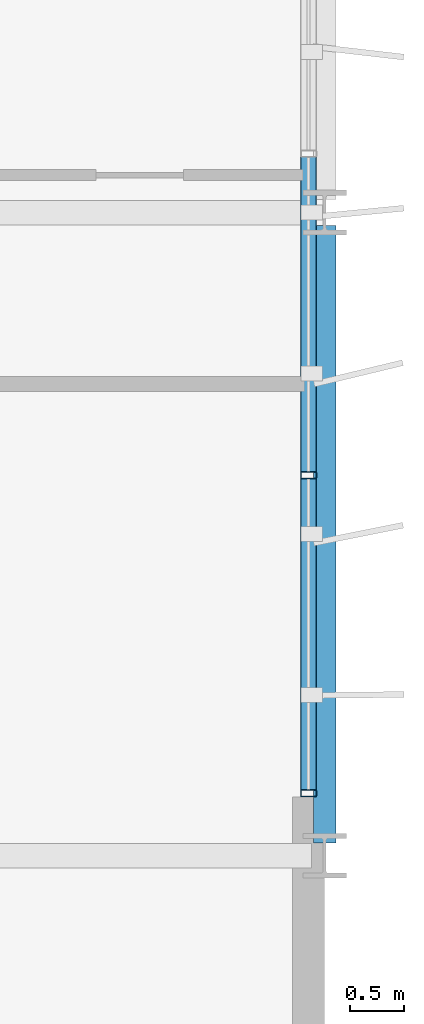
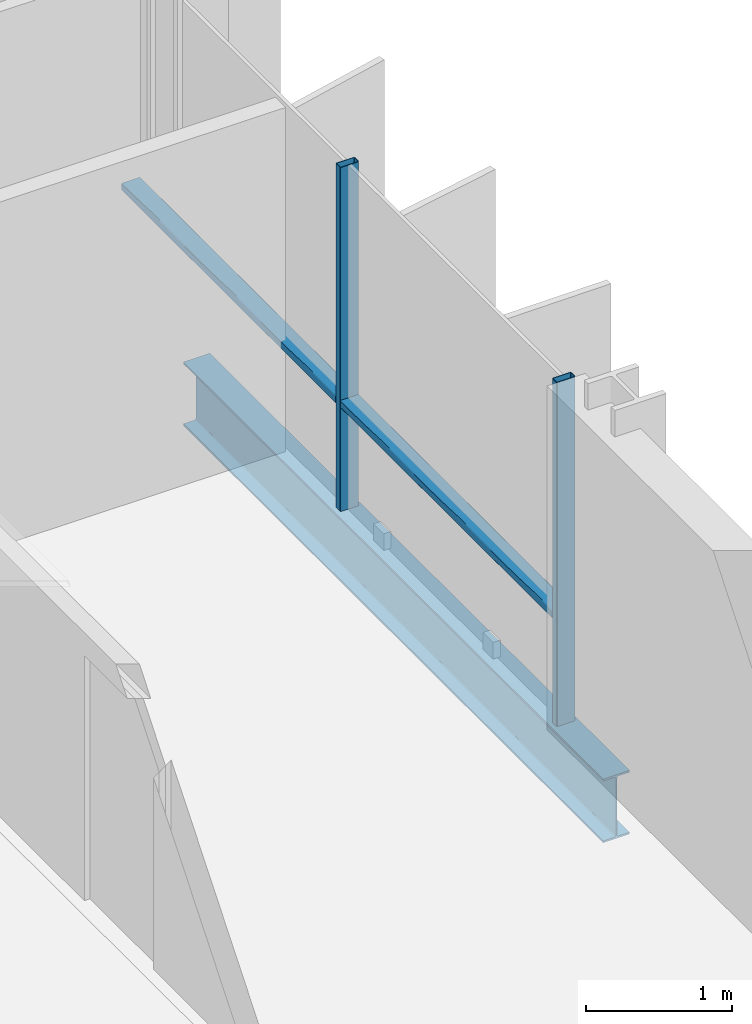
# One storey, part 17 of 40: 4 members, 1 beam, 1 element without a shape of its own.
"""IFC4 building model written with IfcOpenShell, lengths in metres."""

import ifcopenshell
import ifcopenshell.guid

model = None  # the IFC model being written
_history = None  # IfcOwnerHistory: only IFC2X3 demands one
_inside = {}  # id of a spatial element -> (the spatial element, [elements in it])
_under = {}  # id of a project, library or spatial element -> (it, [spatial elements below it])
_declared = {}  # id of a project -> (the project, [libraries it declares])
_typed = {}  # id of a type object -> (the type object, [elements of that type])
_made_of = {}  # id of a material, layer set ... -> (it, [elements and type objects made of it])


def new_model(schema):
    """Start an empty IFC model of exactly this schema.

    Asked for "IFC4X3", IfcOpenShell would pick the latest addendum, in which some entities
    have other attributes; the version numbers below select the first issue.
    IFC2X3 requires an IfcOwnerHistory on every rooted entity: one is made here for all.
    """
    global model, _history
    if schema == "IFC4X3":
        model = ifcopenshell.file(schema_version=(4, 3, 0, 0))
    else:
        model = ifcopenshell.file(schema=schema)
    _inside.clear()
    _under.clear()
    _declared.clear()
    _typed.clear()
    _made_of.clear()
    _history = None
    if model.schema == "IFC2X3":
        org = make("IfcOrganization", Name="unknown")
        user = make(
            "IfcPersonAndOrganization",
            ThePerson=make("IfcPerson", FamilyName="unknown"),
            TheOrganization=org,
        )
        app = make(
            "IfcApplication",
            ApplicationDeveloper=org,
            Version="unknown",
            ApplicationFullName="unknown",
            ApplicationIdentifier="unknown",
        )
        _history = make(
            "IfcOwnerHistory",
            OwningUser=user,
            OwningApplication=app,
            ChangeAction="ADDED",
            CreationDate=0,
        )
    return model


def make(cls, **values):
    """One entity of the class cls with the attributes given. An attribute that is None is left unset."""
    return model.create_entity(
        cls, **{name: value for name, value in values.items() if value is not None}
    )


def rooted(cls, **values):
    """An entity with a GlobalId (a new one), such as an element, a storey or a relation."""
    return make(cls, GlobalId=ifcopenshell.guid.new(), OwnerHistory=_history, **values)


def si_unit(unit_type, name, prefix=None):
    """IfcSIUnit, for example si_unit("LENGTHUNIT", "METRE", prefix="MILLI")."""
    return make("IfcSIUnit", UnitType=unit_type, Prefix=prefix, Name=name)


def assignment(units):
    """IfcUnitAssignment: the units of a project."""
    return None if units is None else make("IfcUnitAssignment", Units=units)


def point(xyz):
    """IfcCartesianPoint."""
    return None if xyz is None else make("IfcCartesianPoint", Coordinates=xyz)


def direction(xyz):
    """IfcDirection."""
    return None if xyz is None else make("IfcDirection", DirectionRatios=xyz)


def frame(location, z_axis=None, x_axis=None):
    """IfcAxis2Placement3D, a coordinate frame: its origin and axes. An axis left out is left unset."""
    return make(
        "IfcAxis2Placement3D",
        Location=point(location),
        Axis=direction(z_axis),
        RefDirection=direction(x_axis),
    )


def frame_2d(location, x_axis=None):
    """IfcAxis2Placement2D, a coordinate frame in the plane: its origin and x axis."""
    return make(
        "IfcAxis2Placement2D", Location=point(location), RefDirection=direction(x_axis)
    )


def origin():
    """The frame at (0, 0, 0) with its axes left unset."""
    return frame((0.0, 0.0, 0.0))


def origin_2d():
    """The frame at (0, 0) in the plane with its x axis left unset."""
    return frame_2d((0.0, 0.0))


def place(relative_to, where):
    """IfcLocalPlacement: puts the frame where relative to a parent placement (None: the world)."""
    return make(
        "IfcLocalPlacement", PlacementRelTo=relative_to, RelativePlacement=where
    )


def context(
    kind, dimensions, precision=None, world=None, true_north=None, identifier=None
):
    """IfcGeometricRepresentationContext, for example the 3D "Model" context."""
    return make(
        "IfcGeometricRepresentationContext",
        ContextIdentifier=identifier,
        ContextType=kind,
        CoordinateSpaceDimension=dimensions,
        Precision=precision,
        WorldCoordinateSystem=world,
        TrueNorth=true_north,
    )


def subcontext(parent, identifier, kind, view, scale=None):
    """IfcGeometricRepresentationSubContext, for example "Body" below "Model"."""
    return make(
        "IfcGeometricRepresentationSubContext",
        ContextIdentifier=identifier,
        ContextType=kind,
        ParentContext=parent,
        TargetScale=scale,
        TargetView=view,
    )


def project(units=None, contexts=None):
    """IfcProject with its units and contexts."""
    return rooted(
        "IfcProject",
        Name="project",
        RepresentationContexts=contexts,
        UnitsInContext=assignment(units),
    )


def spatial(cls, under=None, at=None, **own):
    """A site, building, storey or space (cls), placed at a placement, below another one or the project."""
    s = rooted(cls, ObjectPlacement=at, **own)
    if under is not None:
        _under.setdefault(under.id(), (under, []))[1].append(s)
    return s


def profile(cls, at=None, kind="AREA", **sizes):
    """A parametric profile (cls). Its sizes go by their IFC names, for example OverallWidth=200.0."""
    return make(cls, ProfileType=kind, Position=at, **sizes)


def hollow_rectangle(**sizes):
    """IfcRectangleHollowProfileDef."""
    return profile("IfcRectangleHollowProfileDef", **sizes)


def i_section(**sizes):
    """IfcIShapeProfileDef."""
    return profile("IfcIShapeProfileDef", **sizes)


def extrude(swept, where, along, depth):
    """IfcExtrudedAreaSolid: the profile swept, set in the frame where, extruded along a direction by depth."""
    return make(
        "IfcExtrudedAreaSolid",
        SweptArea=swept,
        Position=where,
        ExtrudedDirection=direction(along),
        Depth=depth,
    )


def shape(context_of_items, identifier, shape_type, items):
    """IfcShapeRepresentation: the items that make up one representation, for example the "Body"."""
    return make(
        "IfcShapeRepresentation",
        ContextOfItems=context_of_items,
        RepresentationIdentifier=identifier,
        RepresentationType=shape_type,
        Items=items,
    )


def material(Name=None, Category=None):
    """IfcMaterial."""
    return make("IfcMaterial", Name=Name, Category=Category)


def layer(
    of_material, thickness, ventilated=None, Name=None, Category=None, Priority=None
):
    """IfcMaterialLayer: one layer of a wall or slab, of a material (None: an air gap)."""
    return make(
        "IfcMaterialLayer",
        Material=of_material,
        LayerThickness=thickness,
        IsVentilated=ventilated,
        Name=Name,
        Category=Category,
        Priority=Priority,
    )


def layer_set(layers, Name=None):
    """IfcMaterialLayerSet."""
    return make("IfcMaterialLayerSet", MaterialLayers=layers, LayerSetName=Name)


def material_profile(
    of_material, cross_section, Name=None, Category=None, Priority=None
):
    """IfcMaterialProfile: a cross section and its material."""
    return make(
        "IfcMaterialProfile",
        Name=Name,
        Material=of_material,
        Profile=cross_section,
        Priority=Priority,
        Category=Category,
    )


def profile_set(profiles, Name=None, composite=None):
    """IfcMaterialProfileSet."""
    return make(
        "IfcMaterialProfileSet",
        Name=Name,
        MaterialProfiles=profiles,
        CompositeProfile=composite,
    )


def made_of(thing, what):
    """Note that an element or type object is made of a material, layer set ...; save() writes the relation."""
    if what is not None:
        _made_of.setdefault(what.id(), (what, []))[1].append(thing)
    return thing


def type_object(cls, material=None, **own):
    """A type object (cls), such as IfcWallType, which elements share."""
    return made_of(rooted(cls, **own), material)


def element(
    cls,
    number,
    at=None,
    inside=None,
    cuts=None,
    type_object=None,
    material=None,
    context=None,
    identifier="Body",
    shape_type=None,
    held_by="IfcProductDefinitionShape",
    body=None,
    shapes=None,
    **own,
):
    """One element of the class cls, such as IfcWall. Its Tag is "e" and its number.

    at: its placement. inside: the storey or other place that contains it. cuts: it is an
    opening in that element (IfcRelVoidsElement). A single representation is given by context,
    identifier, shape_type and body (its items); several are given by shapes. held_by: the class
    of the entity that holds the representations. save() writes the other relations.
    """
    e = rooted(cls, Tag="e%d" % number, ObjectPlacement=at, **own)
    if body is not None:
        shapes = [shape(context, identifier, shape_type, body)]
    if shapes is not None:
        e.Representation = make(held_by, Representations=shapes)
    if inside is not None:
        _inside.setdefault(inside.id(), (inside, []))[1].append(e)
    if cuts is not None:
        rooted(
            "IfcRelVoidsElement", RelatingBuildingElement=cuts, RelatedOpeningElement=e
        )
    if type_object is not None:
        _typed.setdefault(type_object.id(), (type_object, []))[1].append(e)
    return made_of(e, material)


def aggregate(whole, parts):
    """IfcRelAggregates: a whole, such as a stair, and the parts it consists of."""
    return rooted("IfcRelAggregates", RelatingObject=whole, RelatedObjects=parts)


def save(model, path):
    """Write the relations noted so far, then the file.

    IfcRelAggregates (storeys below a building ...), IfcRelContainedInSpatialStructure (elements
    in a storey), IfcRelDefinesByType, IfcRelAssociatesMaterial and IfcRelDeclares: one each for
    every whole, place, type object, material and project.
    """
    for whole, parts in _under.values():
        aggregate(whole, parts)
    for where, things in _inside.values():
        rooted(
            "IfcRelContainedInSpatialStructure",
            RelatedElements=things,
            RelatingStructure=where,
        )
    for kind, things in _typed.values():
        rooted("IfcRelDefinesByType", RelatedObjects=things, RelatingType=kind)
    for what, things in _made_of.values():
        rooted("IfcRelAssociatesMaterial", RelatedObjects=things, RelatingMaterial=what)
    for by, libraries in _declared.values():
        rooted("IfcRelDeclares", RelatingContext=by, RelatedDefinitions=libraries)
    model.write(path)


model = new_model("IFC4")

# Units and contexts
model_context = context("Model", 3, precision=1e-05, world=origin(), true_north=direction((0.0, 1.0)))
body_context = subcontext(model_context, "Body", "Model", "MODEL_VIEW")
ifc_project = project(units=[si_unit("LENGTHUNIT", "METRE"), si_unit("AREAUNIT", "SQUARE_METRE"), si_unit("VOLUMEUNIT", "CUBIC_METRE"), si_unit("PLANEANGLEUNIT", "RADIAN"), si_unit("MASSUNIT", "GRAM", prefix="KILO")], contexts=[model_context])

# Site, building, storey
site_placement = place(None, origin())
site = spatial("IfcSite", under=ifc_project, at=site_placement, CompositionType="ELEMENT")
building_placement = place(site_placement, origin())
building = spatial("IfcBuilding", under=site, at=building_placement, Name="Brevholm Reach", CompositionType="ELEMENT")
storey_placement = place(building_placement, frame((0.0, 0.0, 148.0)))
storey = spatial("IfcBuildingStorey", under=building, at=storey_placement, Name="L44", CompositionType="ELEMENT", Elevation=148.0)

# Beam
ifc_material_1 = material(Name="Structural Steel S355J2", Category="steel")
ifc_material_profile_1 = material_profile(ifc_material_1, i_section(OverallWidth=0.209228515625, OverallDepth=0.533203125, WebThickness=0.010009765625, FlangeThickness=0.015625, FilletRadius=0.0126953125, at=origin_2d()), Name="UKB 533x210x92")
ifc_profile_set_1 = profile_set([ifc_material_profile_1], Name="Structural Steel S355J2")
beam_type = type_object("IfcBeamType", Name="BM-SP533", PredefinedType="SPANDREL", material=ifc_profile_set_1)
beam_placement = place(storey_placement, frame((60.0, 10.1201171875, -0.486572265625), z_axis=(0.0, 1.0, 0.0), x_axis=(-1.0, 0.0, 0.0)))
element("IfcBeam", 1, at=beam_placement, inside=storey, type_object=beam_type, Name="L44 SP-02 Framing Beam", PredefinedType="SPANDREL", context=body_context, shape_type="SweptSolid", body=[
    extrude(i_section(OverallWidth=0.209228515625, OverallDepth=0.533203125, WebThickness=0.010009765625, FlangeThickness=0.015625, FilletRadius=0.0126953125, at=origin_2d()), origin(), (0.0, 0.0, 1.0), 5.759765625),
])

# Curtain wall, members
ifc_material_2 = material(Name="Dark Anodised Aluminium 6063-T6 and Solar-Control Glass", Category="aluminium")
ifc_layer = layer(ifc_material_2, 0.14990234375)
ifc_layer_set = layer_set([ifc_layer], Name="Dark Anodised Aluminium 6063-T6 and Solar-Control Glass")
curtain_wall_type = type_object("IfcCurtainWallType", Name="CW-01", PredefinedType="NOTDEFINED", material=ifc_layer_set)
curtain_wall_placement = place(storey_placement, origin())
curtain_wall = element("IfcCurtainWall", 2, at=curtain_wall_placement, inside=storey, type_object=curtain_wall_type, Name="L44 Curtain Wall CW-01", PredefinedType="NOTDEFINED")
ifc_material_3 = material(Name="Dark Anodised Aluminium 6063-T6", Category="aluminium")
ifc_material_profile_2 = material_profile(ifc_material_3, hollow_rectangle(XDim=0.06494140625, YDim=0.14990234375, WallThickness=0.0048828125, InnerFilletRadius=0.0048828125, OuterFilletRadius=0.010009765625, at=origin_2d()), Name="RHS 150x65x5")
ifc_profile_set_2 = profile_set([ifc_material_profile_2], Name="Dark Anodised Aluminium 6063-T6")
member_type_1 = type_object("IfcMemberType", Name="CWM-150", PredefinedType="MULLION", material=ifc_profile_set_2)
member_1_placement = place(storey_placement, frame((59.85009765625, 10.58251953125, 0.0), z_axis=(0.0, 0.0, 1.0), x_axis=(0.0, 1.0, 0.0)))
member_1 = element("IfcMember", 3, at=member_1_placement, type_object=member_type_1, Name="CM-150 Mullion 1", PredefinedType="MULLION", context=body_context, shape_type="SweptSolid", body=[
    extrude(hollow_rectangle(XDim=0.06494140625, YDim=0.14990234375, WallThickness=0.0048828125, InnerFilletRadius=0.0048828125, OuterFilletRadius=0.010009765625, at=origin_2d()), origin(), (0.0, 0.0, 1.0), 2.8798828125),
])
member_2_placement = place(storey_placement, frame((59.85009765625, 13.550048828125, 0.0), z_axis=(0.0, 0.0, 1.0), x_axis=(0.0, 1.0, 0.0)))
member_2 = element("IfcMember", 4, at=member_2_placement, type_object=member_type_1, Name="CM-150 Mullion 2", PredefinedType="MULLION", context=body_context, shape_type="SweptSolid", body=[
    extrude(hollow_rectangle(XDim=0.06494140625, YDim=0.14990234375, WallThickness=0.0048828125, InnerFilletRadius=0.0048828125, OuterFilletRadius=0.010009765625, at=origin_2d()), origin(), (0.0, 0.0, 1.0), 2.8798828125),
])
ifc_material_4 = material(Name="Dark Anodised Aluminium 6063-T6", Category="aluminium")
ifc_material_profile_3 = material_profile(ifc_material_4, hollow_rectangle(XDim=0.06494140625, YDim=0.14990234375, WallThickness=0.0048828125, InnerFilletRadius=0.0048828125, OuterFilletRadius=0.010009765625, at=origin_2d()), Name="RHS 150x65x5")
ifc_profile_set_3 = profile_set([ifc_material_profile_3], Name="Dark Anodised Aluminium 6063-T6")
member_type_2 = type_object("IfcMemberType", Name="CWT-150", PredefinedType="NOTDEFINED", material=ifc_profile_set_3)
member_3_placement = place(storey_placement, frame((59.85009765625, 10.614990234375, 0.89990234375), z_axis=(0.0, 1.0, 0.0), x_axis=(0.0, 0.0, 1.0)))
member_3 = element("IfcMember", 5, at=member_3_placement, type_object=member_type_2, Name="CT-150 Transom 1.1", ObjectType="TRANSOM", PredefinedType="USERDEFINED", context=body_context, shape_type="SweptSolid", body=[
    extrude(hollow_rectangle(XDim=0.06494140625, YDim=0.14990234375, WallThickness=0.0048828125, InnerFilletRadius=0.0048828125, OuterFilletRadius=0.010009765625, at=origin_2d()), origin(), (0.0, 0.0, 1.0), 2.902587890625),
])
member_4_placement = place(storey_placement, frame((59.85009765625, 13.58251953125, 0.89990234375), z_axis=(0.0, 1.0, 0.0), x_axis=(0.0, 0.0, 1.0)))
member_4 = element("IfcMember", 6, at=member_4_placement, type_object=member_type_2, Name="CT-150 Transom 2.1", ObjectType="TRANSOM", PredefinedType="USERDEFINED", context=body_context, shape_type="SweptSolid", body=[
    extrude(hollow_rectangle(XDim=0.06494140625, YDim=0.14990234375, WallThickness=0.0048828125, InnerFilletRadius=0.0048828125, OuterFilletRadius=0.010009765625, at=origin_2d()), origin(), (0.0, 0.0, 1.0), 2.93505859375),
])
aggregate(curtain_wall, [member_1, member_2, member_3, member_4])

save(model, "model.ifc")
